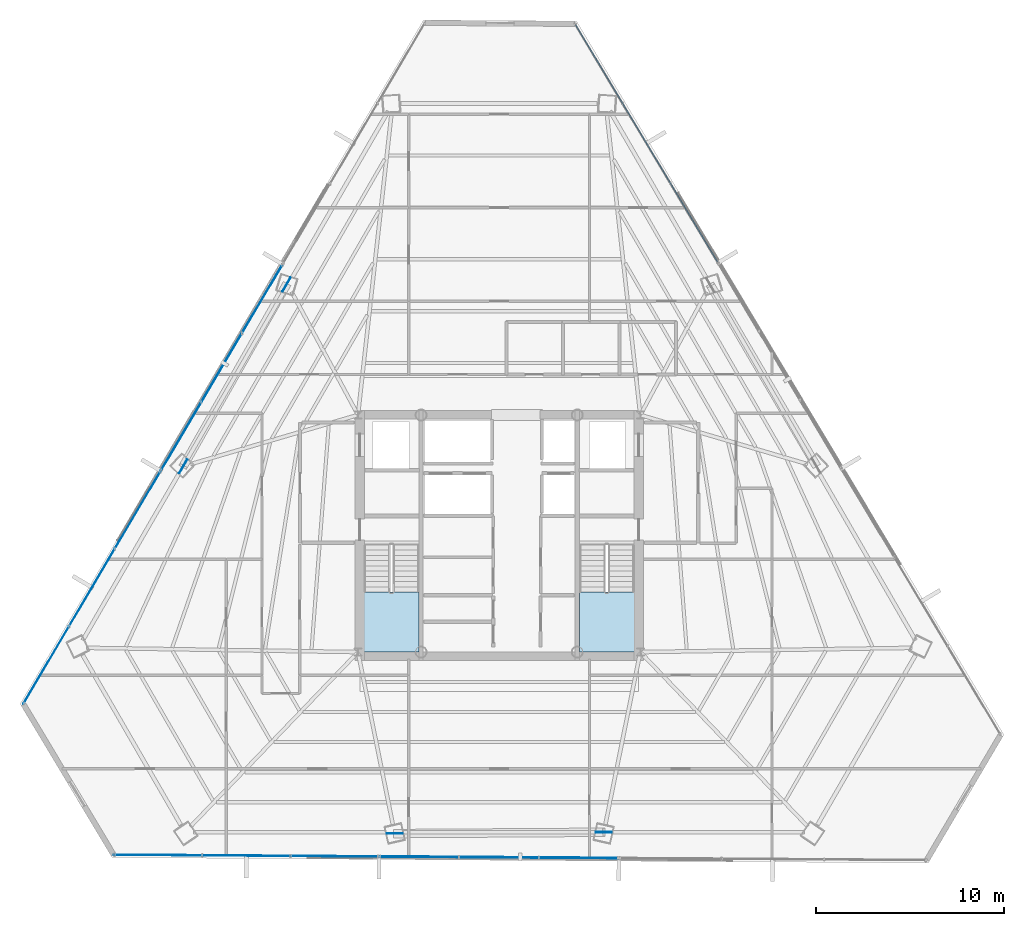
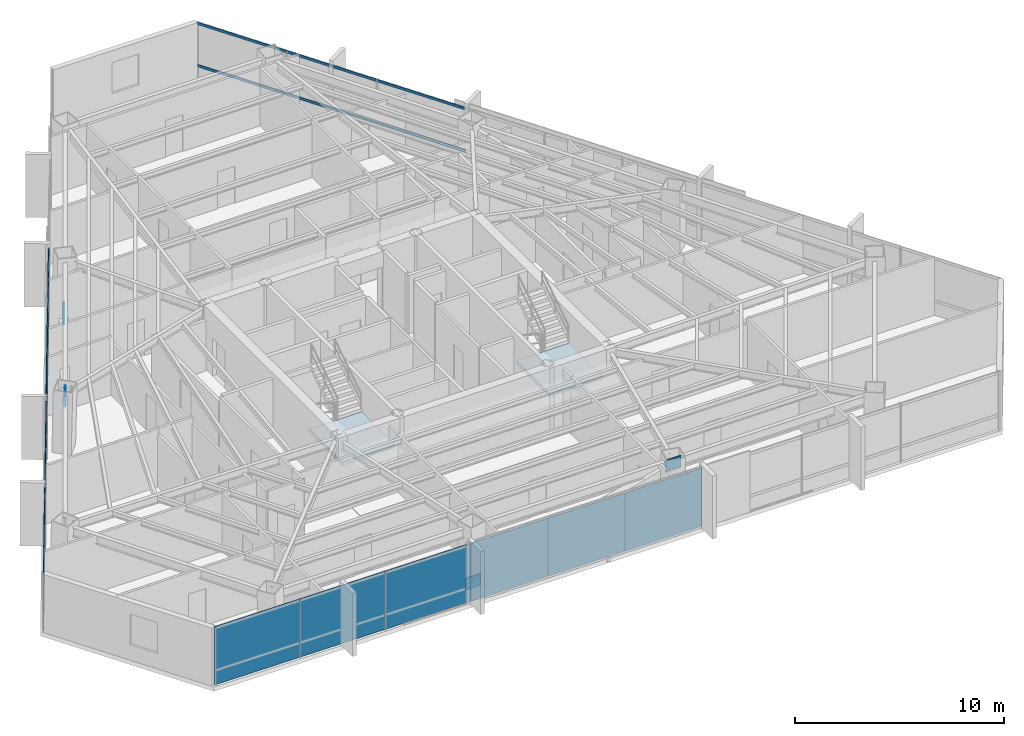
# One storey, part 32 of 40: 16 plates, 2 members, 2 slabs, 7 elements without a shape of their own.
"""IFC4 building model written with IfcOpenShell, lengths in metres."""

from ifc_helpers import new_model, si_unit, direction, frame, origin, origin_2d, place, context, subcontext, project, spatial, polyline, rectangle, hollow_rectangle, outline, extrude, source, transform, mapped, material, layer, layer_set, material_profile, profile_set, type_object, type_shapes, element, aggregate, save


model = new_model("IFC4")

# Units and contexts
model_context = context("Model", 3, precision=1e-05, world=origin(), true_north=direction((0.0, 1.0)))
body_context = subcontext(model_context, "Body", "Model", "MODEL_VIEW")
ifc_project = project(units=[si_unit("LENGTHUNIT", "METRE"), si_unit("AREAUNIT", "SQUARE_METRE"), si_unit("VOLUMEUNIT", "CUBIC_METRE"), si_unit("PLANEANGLEUNIT", "RADIAN"), si_unit("MASSUNIT", "GRAM", prefix="KILO")], contexts=[model_context])

# Site, building, storey
site_placement = place(None, origin())
site = spatial("IfcSite", under=ifc_project, at=site_placement, CompositionType="ELEMENT")
building_placement = place(site_placement, origin())
building = spatial("IfcBuilding", under=site, at=building_placement, Name="Caelisora Broadcast Tower", CompositionType="ELEMENT")
storey_placement = place(building_placement, frame((0.0, 0.0, 176.75)))
storey = spatial("IfcBuildingStorey", under=building, at=storey_placement, Name="L46", CompositionType="ELEMENT", Elevation=176.75)

# Curtain wall, members
ifc_material_1 = material(Name="Unitised Aluminium and Low-E Glass Curtain Wall", Category="glass")
curtain_wall_type_1 = type_object("IfcCurtainWallType", Name="CW-Z3", PredefinedType="NOTDEFINED", material=ifc_material_1)
curtain_wall_1_placement = place(storey_placement, origin())
curtain_wall_1 = element("IfcCurtainWall", 1, at=curtain_wall_1_placement, inside=storey, type_object=curtain_wall_type_1, Name="L46 curtain wall CW-Z3", PredefinedType="NOTDEFINED")
ifc_material_2 = material(Name="Aluminium 6063-T6 Anodised Terracotta Bronze", Category="aluminium")
ifc_material_profile = material_profile(ifc_material_2, hollow_rectangle(XDim=0.06005859375, YDim=0.14990234375, WallThickness=0.00341796875, at=origin_2d()), Name="Aluminium 6063-T6 Anodised Terracotta Bronze")
ifc_profile_set = profile_set([ifc_material_profile], Name="Aluminium 6063-T6 Anodised Terracotta Bronze")
member_type = type_object("IfcMemberType", Name="CWT-02", PredefinedType="USERDEFINED", material=ifc_profile_set)
shared_shape_1 = source(origin(), body_context, "Body", "SweptSolid", [
    extrude(hollow_rectangle(XDim=0.06005859375, YDim=0.14990234375, WallThickness=0.00341796875, at=origin_2d()), origin(), (0.0, 0.0, 1.0), 14.6904296875),
])
type_shapes(member_type, [shared_shape_1])
member_1_placement = place(storey_placement, frame((42.0556640625, 50.739990234375, 0.85009765625), z_axis=(0.513777046524, -0.857923741637, 0.0), x_axis=(0.857923741637, 0.513777046524, 0.0)))
member_1 = element("IfcMember", 2, at=member_1_placement, type_object=member_type, Name="L46-CW-B01 transom #1", ObjectType="TRANSOM", PredefinedType="USERDEFINED", context=body_context, shape_type="MappedRepresentation", body=[
    mapped(shared_shape_1, transform((0.0, 0.0, 0.0), scale=1.0)),
])
member_2_placement = place(storey_placement, frame((42.0556640625, 50.739990234375, 3.320068359375), z_axis=(0.513777046524, -0.857923741637, 0.0), x_axis=(0.857923741637, 0.513777046524, 0.0)))
member_2 = element("IfcMember", 3, at=member_2_placement, type_object=member_type, Name="L46-CW-B01 transom #2", ObjectType="TRANSOM", PredefinedType="USERDEFINED", context=body_context, shape_type="MappedRepresentation", body=[
    mapped(shared_shape_1, transform((0.0, 0.0, 0.0), scale=1.0)),
])
aggregate(curtain_wall_1, [member_1, member_2])

# Stair, slab
ifc_material_3 = material(Name="Concrete 40 MPa (AS 3600 N40)", Category="concrete")
stair_type_1 = type_object("IfcStairType", Name="ST-1", PredefinedType="HALF_TURN_STAIR", material=ifc_material_3)
stair_1_placement = place(storey_placement, origin())
stair_1 = element("IfcStair", 4, at=stair_1_placement, inside=storey, type_object=stair_type_1, Name="L46 West Fire-Isolated Tower Stair", PredefinedType="HALF_TURN_STAIR")
ifc_layer_1 = layer(ifc_material_3, 0.199951171875, Name="Concrete 40 MPa (AS 3600 N40)")
ifc_layer_set_1 = layer_set([ifc_layer_1], Name="Concrete 40 MPa (AS 3600 N40)")
slab_type = type_object("IfcSlabType", Name="STL-1", PredefinedType="LANDING", material=ifc_layer_set_1)
slab_1_placement = place(storey_placement, frame((0.0, 0.0, 1.625)))
slab_1 = element("IfcSlab", 5, at=slab_1_placement, type_object=slab_type, Name="ST-1 landing 1", PredefinedType="LANDING", context=body_context, shape_type="SweptSolid", body=[
    extrude(outline(polyline([(30.820068359375, 20.580078125), (30.820068359375, 17.39990234375), (33.739990234375, 17.39990234375), (33.739990234375, 20.580078125), (30.820068359375, 20.580078125)])), origin(), (0.0, 0.0, 1.0), 0.199951171875),
])
aggregate(stair_1, [slab_1])

stair_type_2 = type_object("IfcStairType", Name="ST-2", PredefinedType="HALF_TURN_STAIR", material=ifc_material_3)
stair_2_placement = place(storey_placement, origin())
stair_2 = element("IfcStair", 6, at=stair_2_placement, inside=storey, type_object=stair_type_2, Name="L46 East Fire-Isolated Tower Stair", PredefinedType="HALF_TURN_STAIR")
slab_2_placement = place(storey_placement, frame((0.0, 0.0, 1.625)))
slab_2 = element("IfcSlab", 7, at=slab_2_placement, type_object=slab_type, Name="ST-2 landing 1", PredefinedType="LANDING", context=body_context, shape_type="SweptSolid", body=[
    extrude(outline(polyline([(42.260009765625, 20.580078125), (42.260009765625, 17.39990234375), (45.179931640625, 17.39990234375), (45.179931640625, 20.580078125), (42.260009765625, 20.580078125)])), origin(), (0.0, 0.0, 1.0), 0.199951171875),
])
aggregate(stair_2, [slab_2])

# Plates
ifc_material_4 = material(Name="Steel Grade 350 L15 (AS/NZS 3678)", Category="steel")
ifc_layer_2 = layer(ifc_material_4, 0.0400390625, Name="Steel Grade 350 L15 (AS/NZS 3678)")
ifc_layer_set_2 = layer_set([ifc_layer_2], Name="Steel Grade 350 L15 (AS/NZS 3678)")
plate_type_1 = type_object("IfcPlateType", Name="GP04", PredefinedType="USERDEFINED", material=ifc_layer_set_2)
shared_shape_2 = source(origin(), body_context, "Body", "SweptSolid", [
    extrude(rectangle(XDim=0.85009765625, YDim=0.0400390625, at=origin_2d()), origin(), (0.0, 0.0, 1.0), 0.699951171875),
])
type_shapes(plate_type_1, [shared_shape_2])
for number, where, z_axis, x_axis, name in (
    (8, (26.704345703125, 36.9267578125, -0.22998046875), (0.0, 0.0, 1.0), (-0.5, -0.866025403784, 0.0), "L46 gusset plate GP04 (ND-L46-C02B)"),
    (9, (21.211669921875, 27.2685546875, 2.72998046875), (0.0, 0.0, 1.0), (-0.5, -0.866025403784, 0.0), "L46 gusset plate GP04 (ND-L46-C03T)"),
    (10, (32.452880859375, 7.75439453125, -0.22998046875), (0.0, 0.0, 1.0), (1.0, 0.0, 0.0), "L46 gusset plate GP04 (ND-L46-C06B)"),
    (11, (43.5634765625, 7.82666015625, 2.72998046875), (0.0, 0.0, 1.0), (1.0, 0.0, 0.0), "L46 gusset plate GP04 (ND-L46-C07T)"),
):
    element("IfcPlate", number, at=place(storey_placement, frame(where, z_axis=z_axis, x_axis=x_axis)), inside=storey, type_object=plate_type_1, Name=name, ObjectType="GUSSET PLATE", PredefinedType="USERDEFINED", context=body_context, shape_type="MappedRepresentation", body=[
        mapped(shared_shape_2, transform((0.0, 0.0, 0.0), scale=1.0)),
    ])

# Curtain wall, plates
ifc_material_5 = material(Name="Unitised Aluminium Insulated Shadow-Box Spandrel Curtain Wall", Category="aluminium")
curtain_wall_type_2 = type_object("IfcCurtainWallType", Name="CW-SP2", PredefinedType="NOTDEFINED", material=ifc_material_5)
curtain_wall_2_placement = place(storey_placement, origin())
curtain_wall_2 = element("IfcCurtainWall", 12, at=curtain_wall_2_placement, inside=storey, type_object=curtain_wall_type_2, Name="L46 curtain wall CW-SP2", PredefinedType="NOTDEFINED")
ifc_material_6 = material(Name="Insulated Terracotta Shadow-Box Spandrel Panel", Category="aluminium")
ifc_layer_3 = layer(ifc_material_6, 0.0439453125, Name="Insulated Terracotta Shadow-Box Spandrel Panel")
ifc_layer_set_3 = layer_set([ifc_layer_3], Name="Insulated Terracotta Shadow-Box Spandrel Panel")
plate_type_2 = type_object("IfcPlateType", Name="CWP-10", PredefinedType="CURTAIN_PANEL", material=ifc_layer_set_3)
shared_shape_3 = source(origin(), body_context, "Body", "SweptSolid", [
    extrude(rectangle(XDim=4.24462890625, YDim=0.0439453125, at=origin_2d()), origin(), (0.0, 0.0, 1.0), 3.39990234375),
])
plate_1_placement = place(storey_placement, frame((42.236083984375, 6.4638671875, 0.0), z_axis=(0.0, 0.0, 1.0), x_axis=(-0.999978006703, 0.006632202536, 0.0)))
plate_1 = element("IfcPlate", 13, at=plate_1_placement, type_object=plate_type_2, Name="L46-CW-B06 spandrel panel #1", PredefinedType="CURTAIN_PANEL", context=body_context, shape_type="MappedRepresentation", body=[
    mapped(shared_shape_3, transform((0.0, 0.0, 0.0), scale=1.0)),
])
plate_2_placement = place(storey_placement, frame((37.99169921875, 6.491943359375, 0.0), z_axis=(0.0, 0.0, 1.0), x_axis=(-0.999978006703, 0.006632202536, 0.0)))
plate_2 = element("IfcPlate", 14, at=plate_2_placement, type_object=plate_type_2, Name="L46-CW-B06 spandrel panel #2", PredefinedType="CURTAIN_PANEL", context=body_context, shape_type="MappedRepresentation", body=[
    mapped(shared_shape_3, transform((0.0, 0.0, 0.0), scale=1.0)),
])
plate_3_placement = place(storey_placement, frame((33.7470703125, 6.520263671875, 0.0), z_axis=(0.0, 0.0, 1.0), x_axis=(-0.999978006703, 0.006632202536, 0.0)))
plate_3 = element("IfcPlate", 15, at=plate_3_placement, type_object=plate_type_2, Name="L46-CW-B06 spandrel panel #3", PredefinedType="CURTAIN_PANEL", context=body_context, shape_type="MappedRepresentation", body=[
    mapped(shared_shape_3, transform((0.0, 0.0, 0.0), scale=1.0)),
])
aggregate(curtain_wall_2, [plate_1, plate_2, plate_3])

curtain_wall_3_placement = place(storey_placement, origin())
curtain_wall_3 = element("IfcCurtainWall", 16, at=curtain_wall_3_placement, inside=storey, type_object=curtain_wall_type_1, Name="L46 curtain wall CW-Z3", PredefinedType="NOTDEFINED")
ifc_material_7 = material(Name="Double Glazed Low-E Argon IGU", Category="glass")
ifc_layer_4 = layer(ifc_material_7, 0.031982421875, Name="Double Glazed Low-E Argon IGU")
ifc_layer_set_4 = layer_set([ifc_layer_4], Name="Double Glazed Low-E Argon IGU")
plate_type_3 = type_object("IfcPlateType", Name="CWP-04", PredefinedType="CURTAIN_PANEL", material=ifc_layer_set_4)
shared_shape_4 = source(origin(), body_context, "Body", "SweptSolid", [
    extrude(rectangle(XDim=4.7001953125, YDim=0.031982421875, at=origin_2d()), origin(), (0.0, 0.0, 1.0), 3.39990234375),
])
plate_4_placement = place(storey_placement, frame((29.264892578125, 6.5498046875, 0.0), z_axis=(0.0, 0.0, 1.0), x_axis=(-0.999978006703, 0.006632202536, 0.0)))
plate_4 = element("IfcPlate", 17, at=plate_4_placement, type_object=plate_type_3, Name="L46-CW-B07 glazed panel #1", PredefinedType="CURTAIN_PANEL", context=body_context, shape_type="MappedRepresentation", body=[
    mapped(shared_shape_4, transform((0.0, 0.0, 0.0), scale=1.0)),
])
plate_5_placement = place(storey_placement, frame((24.56494140625, 6.581298828125, 0.0), z_axis=(0.0, 0.0, 1.0), x_axis=(-0.999978006703, 0.006632202536, 0.0)))
plate_5 = element("IfcPlate", 18, at=plate_5_placement, type_object=plate_type_3, Name="L46-CW-B07 glazed panel #2", PredefinedType="CURTAIN_PANEL", context=body_context, shape_type="MappedRepresentation", body=[
    mapped(shared_shape_4, transform((0.0, 0.0, 0.0), scale=1.0)),
])
plate_6_placement = place(storey_placement, frame((19.864990234375, 6.6123046875, 0.0), z_axis=(0.0, 0.0, 1.0), x_axis=(-0.999978006703, 0.006632202536, 0.0)))
plate_6 = element("IfcPlate", 19, at=plate_6_placement, type_object=plate_type_3, Name="L46-CW-B07 glazed panel #3", PredefinedType="CURTAIN_PANEL", context=body_context, shape_type="MappedRepresentation", body=[
    mapped(shared_shape_4, transform((0.0, 0.0, 0.0), scale=1.0)),
])
aggregate(curtain_wall_3, [plate_4, plate_5, plate_6])

curtain_wall_4_placement = place(storey_placement, origin())
curtain_wall_4 = element("IfcCurtainWall", 20, at=curtain_wall_4_placement, inside=storey, type_object=curtain_wall_type_1, Name="L46 curtain wall CW-Z3", PredefinedType="NOTDEFINED")
shared_shape_5 = source(origin(), body_context, "Body", "SweptSolid", [
    extrude(rectangle(XDim=4.79248046875, YDim=0.031982421875, at=origin_2d()), origin(), (0.0, 0.0, 1.0), 3.39990234375),
])
type_shapes(plate_type_3, [shared_shape_4, shared_shape_5])
plate_7_placement = place(storey_placement, frame((13.9326171875, 16.706787109375, 0.0), z_axis=(0.0, 0.0, 1.0), x_axis=(0.508139769859, 0.861274621876, 0.0)))
plate_7 = element("IfcPlate", 21, at=plate_7_placement, type_object=plate_type_3, Name="L46-CW-B09 glazed panel #1", PredefinedType="CURTAIN_PANEL", context=body_context, shape_type="MappedRepresentation", body=[
    mapped(shared_shape_5, transform((0.0, 0.0, 0.0), scale=1.0)),
])
plate_8_placement = place(storey_placement, frame((16.367431640625, 20.834716796875, 0.0), z_axis=(0.0, 0.0, 1.0), x_axis=(0.508139769859, 0.861274621876, 0.0)))
plate_8 = element("IfcPlate", 22, at=plate_8_placement, type_object=plate_type_3, Name="L46-CW-B09 glazed panel #2", PredefinedType="CURTAIN_PANEL", context=body_context, shape_type="MappedRepresentation", body=[
    mapped(shared_shape_5, transform((0.0, 0.0, 0.0), scale=1.0)),
])
plate_9_placement = place(storey_placement, frame((18.80224609375, 24.96240234375, 0.0), z_axis=(0.0, 0.0, 1.0), x_axis=(0.508139769859, 0.861274621876, 0.0)))
plate_9 = element("IfcPlate", 23, at=plate_9_placement, type_object=plate_type_3, Name="L46-CW-B09 glazed panel #3", PredefinedType="CURTAIN_PANEL", context=body_context, shape_type="MappedRepresentation", body=[
    mapped(shared_shape_5, transform((0.0, 0.0, 0.0), scale=1.0)),
])
aggregate(curtain_wall_4, [plate_7, plate_8, plate_9])

curtain_wall_5_placement = place(storey_placement, origin())
curtain_wall_5 = element("IfcCurtainWall", 24, at=curtain_wall_5_placement, inside=storey, type_object=curtain_wall_type_2, Name="L46 curtain wall CW-SP2", PredefinedType="NOTDEFINED")
shared_shape_6 = source(origin(), body_context, "Body", "SweptSolid", [
    extrude(rectangle(XDim=4.244384765625, YDim=0.0439453125, at=origin_2d()), origin(), (0.0, 0.0, 1.0), 3.39990234375),
])
type_shapes(plate_type_2, [shared_shape_3, shared_shape_6])
plate_10_placement = place(storey_placement, frame((21.10302734375, 28.86279296875, 0.0), z_axis=(0.0, 0.0, 1.0), x_axis=(0.508139769859, 0.861274621876, 0.0)))
plate_10 = element("IfcPlate", 25, at=plate_10_placement, type_object=plate_type_2, Name="L46-CW-B10 spandrel panel #1", PredefinedType="CURTAIN_PANEL", context=body_context, shape_type="MappedRepresentation", body=[
    mapped(shared_shape_6, transform((0.0, 0.0, 0.0), scale=1.0)),
])
plate_11_placement = place(storey_placement, frame((23.259521484375, 32.518798828125, 0.0), z_axis=(0.0, 0.0, 1.0), x_axis=(0.508139769859, 0.861274621876, 0.0)))
plate_11 = element("IfcPlate", 26, at=plate_11_placement, type_object=plate_type_2, Name="L46-CW-B10 spandrel panel #2", PredefinedType="CURTAIN_PANEL", context=body_context, shape_type="MappedRepresentation", body=[
    mapped(shared_shape_6, transform((0.0, 0.0, 0.0), scale=1.0)),
])
plate_12_placement = place(storey_placement, frame((25.416015625, 36.174560546875, 0.0), z_axis=(0.0, 0.0, 1.0), x_axis=(0.508139769859, 0.861274621876, 0.0)))
plate_12 = element("IfcPlate", 27, at=plate_12_placement, type_object=plate_type_2, Name="L46-CW-B10 spandrel panel #3", PredefinedType="CURTAIN_PANEL", context=body_context, shape_type="MappedRepresentation", body=[
    mapped(shared_shape_6, transform((0.0, 0.0, 0.0), scale=1.0)),
])
aggregate(curtain_wall_5, [plate_10, plate_11, plate_12])

save(model, "model.ifc")
